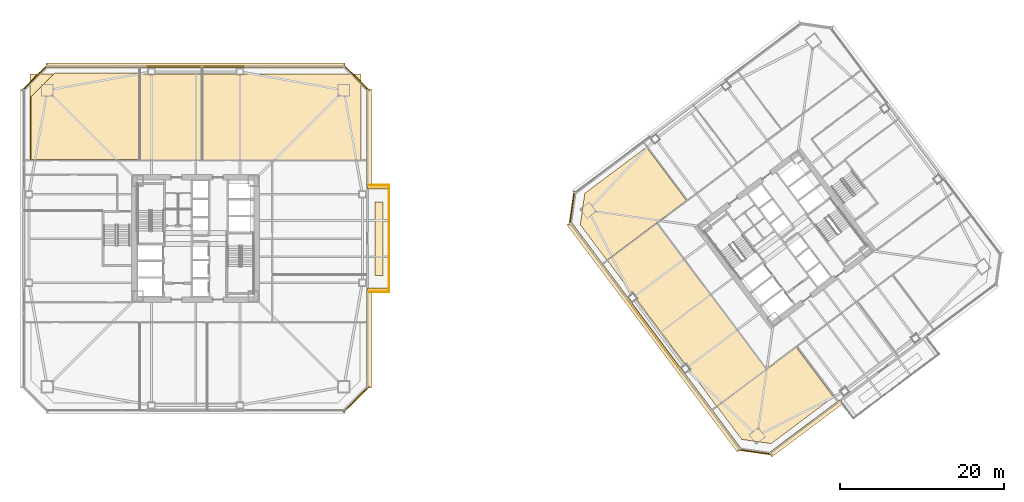
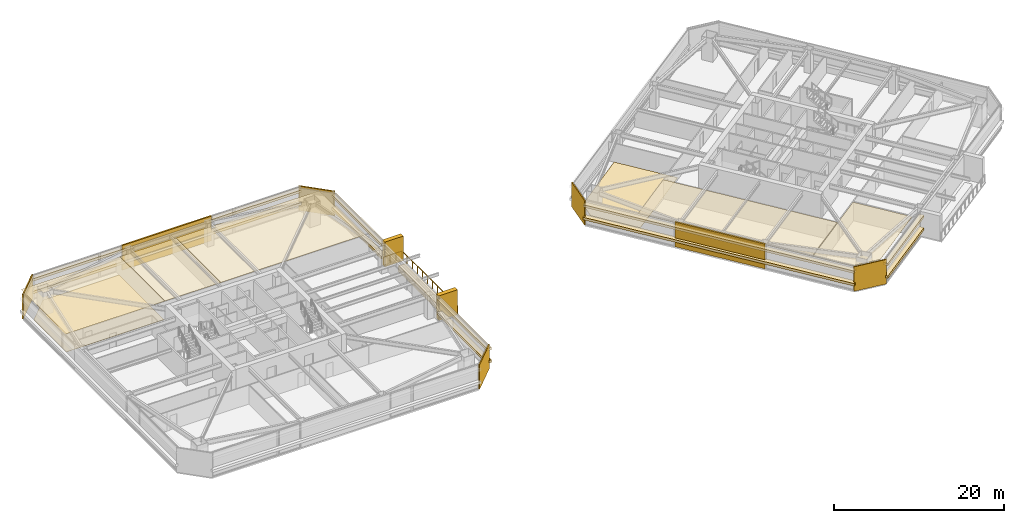
# One storey, part 41 of 44: 27 coverings, 3 railings.
"""IFC4 building model written with IfcOpenShell, lengths in metres."""

from ifc_helpers import new_model, si_unit, direction, frame, origin, origin_2d, place, context, subcontext, project, spatial, polyline, rectangle, outline, extrude, material, layer, layer_set, type_object, element, save


model = new_model("IFC4")

# Units and contexts
model_context = context("Model", 3, precision=1e-05, world=origin(), true_north=direction((0.0, 1.0)))
body_context = subcontext(model_context, "Body", "Model", "MODEL_VIEW")
ifc_project = project(units=[si_unit("LENGTHUNIT", "METRE"), si_unit("AREAUNIT", "SQUARE_METRE"), si_unit("VOLUMEUNIT", "CUBIC_METRE"), si_unit("PLANEANGLEUNIT", "RADIAN"), si_unit("MASSUNIT", "GRAM", prefix="KILO")], contexts=[model_context])

# Site, building, storey
site_placement = place(None, origin())
site = spatial("IfcSite", under=ifc_project, at=site_placement, CompositionType="ELEMENT")
building_placement = place(site_placement, origin())
building = spatial("IfcBuilding", under=site, at=building_placement, Name="Tashvorn Skyway Center", CompositionType="ELEMENT")
storey_placement = place(building_placement, frame((0.0, 0.0, 102.699951171875)))
storey = spatial("IfcBuildingStorey", under=building, at=storey_placement, Name="L27", CompositionType="ELEMENT", Elevation=102.699951171875)

# Coverings
ifc_material_1 = material(Name="Precast concrete C40/50", Category="concrete")
ifc_layer_1 = layer(ifc_material_1, 0.199951171875)
ifc_layer_set_1 = layer_set([ifc_layer_1], Name="Precast concrete C40/50")
covering_type_1 = type_object("IfcCoveringType", Name="COV-BRACE-CLAD", PredefinedType="CLADDING", material=ifc_layer_set_1)
covering_1_placement = place(storey_placement, frame((42.0, 52.97998046875, 0.0), z_axis=(0.0, 0.0, 1.0), x_axis=(1.0, 0.0, 0.0)))
element("IfcCovering", 1, at=covering_1_placement, inside=storey, type_object=covering_type_1, Name="Tower 1 L27 North Unitised Curtain Wall Mega-Brace Cladding Band 1", PredefinedType="CLADDING", context=body_context, shape_type="SweptSolid", body=[
    extrude(rectangle(XDim=12.1201171875, YDim=0.199951171875, at=origin_2d()), origin(), (0.0, 0.0, 1.0), 3.550048828125),
])
covering_2_placement = place(storey_placement, frame((98.095947265625, 20.072021484375, 0.0), z_axis=(0.0, 0.0, 1.0), x_axis=(-0.600000004945, 0.799999996291, 0.0)))
element("IfcCovering", 2, at=covering_2_placement, inside=storey, type_object=covering_type_1, Name="Tower 2 L27 West Unitised Curtain Wall Mega-Brace Cladding Band 1", PredefinedType="CLADDING", context=body_context, shape_type="SweptSolid", body=[
    extrude(rectangle(XDim=11.52001953125, YDim=0.199951171875, at=origin_2d()), origin(), (0.0, 0.0, 1.0), 3.550048828125),
])
ifc_material_2 = material(Name="Mineral-fibre acoustic ceiling tile on suspended grid")
ifc_layer_2 = layer(ifc_material_2, 0.02001953125)
ifc_layer_set_2 = layer_set([ifc_layer_2], Name="Mineral-fibre acoustic ceiling tile on suspended grid")
covering_type_2 = type_object("IfcCoveringType", Name="COV-CEIL-20", PredefinedType="CEILING", material=ifc_layer_set_2)
covering_3_placement = place(storey_placement, frame((0.0, 0.0, 2.68310546875)))
element("IfcCovering", 3, at=covering_3_placement, inside=storey, type_object=covering_type_2, Name="Tower 1 L27 Gallery Showroom Acoustic Ceiling", PredefinedType="CEILING", context=body_context, shape_type="SweptSolid", body=[
    extrude(outline(polyline([(21.800048828125, 41.570068359375), (35.199951171875, 41.570068359375), (35.199951171875, 52.10009765625), (21.800048828125, 52.10009765625), (21.800048828125, 41.570068359375)])), origin(), (0.0, 0.0, 1.0), 0.02001953125),
])
covering_4_placement = place(storey_placement, frame((0.0, 0.0, 2.68310546875)))
element("IfcCovering", 4, at=covering_4_placement, inside=storey, type_object=covering_type_2, Name="Tower 1 L27 Gallery Showroom Acoustic Ceiling", PredefinedType="CEILING", context=body_context, shape_type="SweptSolid", body=[
    extrude(outline(polyline([(35.199951171875, 41.570068359375), (42.800048828125, 41.570068359375), (42.800048828125, 52.10009765625), (35.199951171875, 52.10009765625), (35.199951171875, 41.570068359375)])), origin(), (0.0, 0.0, 1.0), 0.02001953125),
])
covering_5_placement = place(storey_placement, frame((0.0, 0.0, 2.68310546875)))
element("IfcCovering", 5, at=covering_5_placement, inside=storey, type_object=covering_type_2, Name="Tower 1 L27 Corporate Office Acoustic Ceiling", PredefinedType="CEILING", context=body_context, shape_type="SweptSolid", body=[
    extrude(outline(polyline([(42.800048828125, 41.570068359375), (62.199951171875, 41.570068359375), (62.199951171875, 52.10009765625), (42.800048828125, 52.10009765625), (42.800048828125, 41.570068359375)])), origin(), (0.0, 0.0, 1.0), 0.02001953125),
])
covering_6_placement = place(storey_placement, frame((0.0, 0.0, 2.68310546875)))
element("IfcCovering", 6, at=covering_6_placement, inside=storey, type_object=covering_type_2, Name="Tower 2 L27 Gallery Showroom Acoustic Ceiling", PredefinedType="CEILING", context=body_context, shape_type="SweptSolid", body=[
    extrude(outline(polyline([(105.662109375, 11.48388671875), (115.31005859375, 18.719970703125), (119.85205078125, 12.6640625), (112.251953125, 6.964111328125), (108.66796875, 7.47607421875), (105.662109375, 11.48388671875)])), origin(), (0.0, 0.0, 1.0), 0.02001953125),
])
covering_7_placement = place(storey_placement, frame((0.0, 0.0, 2.68310546875)))
element("IfcCovering", 7, at=covering_7_placement, inside=storey, type_object=covering_type_2, Name="Tower 2 L27 Collaborative Studio Acoustic Ceiling", PredefinedType="CEILING", context=body_context, shape_type="SweptSolid", body=[
    extrude(outline(polyline([(105.6220703125, 11.50390625), (111.677978515625, 16.0458984375), (98.31591796875, 33.862060546875), (92.260009765625, 29.320068359375), (105.6220703125, 11.50390625)])), origin(), (0.0, 0.0, 1.0), 0.02001953125),
])
ifc_material_3 = material(Name="Polished Mojave desert-aggregate terrazzo and cover plate")
ifc_layer_3 = layer(ifc_material_3, 0.0400390625)
ifc_layer_set_3 = layer_set([ifc_layer_3], Name="Polished Mojave desert-aggregate terrazzo and cover plate")
covering_type_3 = type_object("IfcCoveringType", Name="COV-FLR-40", PredefinedType="FLOORING", material=ifc_layer_set_3)
covering_8_placement = place(storey_placement, origin())
element("IfcCovering", 8, at=covering_8_placement, inside=storey, type_object=covering_type_3, Name="Tower 1 L27 Gallery Showroom Finish Flooring", PredefinedType="FLOORING", context=body_context, shape_type="SweptSolid", body=[
    extrude(outline(polyline([(35.1201171875, 41.64990234375), (21.8798828125, 41.64990234375), (21.8798828125, 49.280029296875), (24.800048828125, 52.199951171875), (35.1201171875, 52.199951171875), (35.1201171875, 41.64990234375)])), origin(), (0.0, 0.0, 1.0), 0.0400390625),
])
covering_9_placement = place(storey_placement, origin())
element("IfcCovering", 9, at=covering_9_placement, inside=storey, type_object=covering_type_3, Name="Tower 2 L27 Gallery Showroom Finish Flooring", PredefinedType="FLOORING", context=body_context, shape_type="SweptSolid", body=[
    extrude(outline(polyline([(101.907958984375, 36.656005859375), (92.196044921875, 29.3720703125), (88.9560546875, 33.69189453125), (89.5, 37.5), (97.035888671875, 43.152099609375), (101.907958984375, 36.656005859375)])), origin(), (0.0, 0.0, 1.0), 0.0400390625),
])
ifc_material_4 = material(Name="Perforated ceramic-coated bronze aluminium solar screen", Category="aluminium")
ifc_layer_4 = layer(ifc_material_4, 0.85009765625)
ifc_layer_set_4 = layer_set([ifc_layer_4], Name="Perforated ceramic-coated bronze aluminium solar screen")
covering_type_4 = type_object("IfcCoveringType", Name="COV-SOLAR-BAND", PredefinedType="CLADDING", material=ifc_layer_set_4)
for number, where, z_axis, x_axis, name in (
    (10, (42.0, 53.1201171875, 0.919921875), (0.0, 0.0, 1.0), (1.0, 0.0, 0.0), "L27 Perforated Ceramic-Metal Solar Screen Louvre Band North 1"),
    (11, (42.0, 53.1201171875, 2.72021484375), (0.0, 0.0, 1.0), (1.0, 0.0, 0.0), "L27 Perforated Ceramic-Metal Solar Screen Louvre Band North 2"),
):
    element("IfcCovering", number, at=place(storey_placement, frame(where, z_axis=z_axis, x_axis=x_axis)), inside=storey, type_object=covering_type_4, Name=name, PredefinedType="CLADDING", context=body_context, shape_type="SweptSolid", body=[
        extrude(rectangle(XDim=36.47998046875, YDim=0.639892578125, at=origin_2d()), origin(), (0.0, 0.0, 1.0), 0.360107421875),
    ])
for number, where, z_axis, x_axis, name in (
    (12, (63.1201171875, 44.389892578125, 0.919921875), (0.0, 0.0, 1.0), (0.0, -1.0, 0.0), "L27 Perforated Ceramic-Metal Solar Screen Louvre Band East 1"),
    (13, (63.1201171875, 44.389892578125, 2.72021484375), (0.0, 0.0, 1.0), (0.0, -1.0, 0.0), "L27 Perforated Ceramic-Metal Solar Screen Louvre Band East 2"),
    (14, (63.1201171875, 19.610107421875, 0.919921875), (0.0, 0.0, 1.0), (0.0, -1.0, 0.0), "L27 Perforated Ceramic-Metal Solar Screen Louvre Band East 1"),
    (15, (63.1201171875, 19.610107421875, 2.72021484375), (0.0, 0.0, 1.0), (0.0, -1.0, 0.0), "L27 Perforated Ceramic-Metal Solar Screen Louvre Band East 2"),
):
    element("IfcCovering", number, at=place(storey_placement, frame(where, z_axis=z_axis, x_axis=x_axis)), inside=storey, type_object=covering_type_4, Name=name, PredefinedType="CLADDING", context=body_context, shape_type="SweptSolid", body=[
        extrude(rectangle(XDim=11.699951171875, YDim=0.639892578125, at=origin_2d()), origin(), (0.0, 0.0, 1.0), 0.360107421875),
    ])
for number, where, z_axis, x_axis, name in (
    (16, (116.4599609375, 8.820068359375, 0.919921875), (0.0, 0.0, 1.0), (-0.799999996291, -0.600000004945, 0.0), "L27 Perforated Ceramic-Metal Solar Screen Louvre Band South 1"),
    (17, (116.4599609375, 8.820068359375, 2.72021484375), (0.0, 0.0, 1.0), (-0.799999996291, -0.600000004945, 0.0), "L27 Perforated Ceramic-Metal Solar Screen Louvre Band South 2"),
):
    element("IfcCovering", number, at=place(storey_placement, frame(where, z_axis=z_axis, x_axis=x_axis)), inside=storey, type_object=covering_type_4, Name=name, PredefinedType="CLADDING", context=body_context, shape_type="SweptSolid", body=[
        extrude(rectangle(XDim=10.800048828125, YDim=0.639892578125, at=origin_2d()), origin(), (0.0, 0.0, 1.0), 0.360107421875),
    ])
for number, where, z_axis, x_axis, name in (
    (18, (97.98388671875, 19.988037109375, 0.919921875), (0.0, 0.0, 1.0), (-0.600000004945, 0.799999996291, 0.0), "L27 Perforated Ceramic-Metal Solar Screen Louvre Band West 1"),
    (19, (97.98388671875, 19.988037109375, 2.72021484375), (0.0, 0.0, 1.0), (-0.600000004945, 0.799999996291, 0.0), "L27 Perforated Ceramic-Metal Solar Screen Louvre Band West 2"),
):
    element("IfcCovering", number, at=place(storey_placement, frame(where, z_axis=z_axis, x_axis=x_axis)), inside=storey, type_object=covering_type_4, Name=name, PredefinedType="CLADDING", context=body_context, shape_type="SweptSolid", body=[
        extrude(rectangle(XDim=34.679931640625, YDim=0.639892578125, at=origin_2d()), origin(), (0.0, 0.0, 1.0), 0.360107421875),
    ])
ifc_layer_5 = layer(ifc_material_1, 0.35009765625)
ifc_layer_set_5 = layer_set([ifc_layer_5], Name="Precast concrete C40/50")
covering_type_5 = type_object("IfcCoveringType", Name="COV-STONE-TRIM", PredefinedType="CLADDING", material=ifc_layer_set_5)
for number, where, z_axis, x_axis, name in (
    (20, (64.25, 38.35009765625, 0.0), (0.0, 0.0, 1.0), (0.0, -1.0, 0.0), "Tower 1 L27 Sky Garden Loggia Pier L"),
    (21, (64.25, 25.64990234375, 0.0), (0.0, 0.0, 1.0), (0.0, -1.0, 0.0), "Tower 1 L27 Sky Garden Loggia Pier R"),
):
    element("IfcCovering", number, at=place(storey_placement, frame(where, z_axis=z_axis, x_axis=x_axis)), inside=storey, type_object=covering_type_5, Name=name, PredefinedType="CLADDING", context=body_context, shape_type="SweptSolid", body=[
        extrude(rectangle(XDim=0.580078125, YDim=2.5, at=origin_2d()), origin(), (0.0, 0.0, 1.0), 3.550048828125),
    ])
covering_10_placement = place(storey_placement, frame((64.39990234375, 32.0, 0.0), z_axis=(0.0, 0.0, 1.0), x_axis=(0.0, -1.0, 0.0)))
element("IfcCovering", 22, at=covering_10_placement, inside=storey, type_object=covering_type_5, Name="Tower 1 L27 Sky Garden Stone Planter Bed", PredefinedType="CLADDING", context=body_context, shape_type="SweptSolid", body=[
    extrude(rectangle(XDim=8.97607421875, YDim=0.949951171875, at=origin_2d()), origin(), (0.0, 0.0, 1.0), 0.800048828125),
])
for number, where, z_axis, x_axis, name in (
    (23, (22.3798828125, 51.6201171875, 0.02001953125), (0.0, 0.0, 1.0), (-0.707106781187, -0.707106781187, 0.0), "Tower 1 L27 NW Mojave Limestone Corner Quoin"),
    (24, (61.6201171875, 51.6201171875, 0.02001953125), (0.0, 0.0, 1.0), (0.707106781187, -0.707106781187, 0.0), "Tower 1 L27 NE Mojave Limestone Corner Quoin"),
    (25, (61.6201171875, 12.3798828125, 0.02001953125), (0.0, 0.0, 1.0), (0.707106781187, 0.707106781187, 0.0), "Tower 1 L27 SE Mojave Limestone Corner Quoin"),
):
    element("IfcCovering", number, at=place(storey_placement, frame(where, z_axis=z_axis, x_axis=x_axis)), inside=storey, type_object=covering_type_5, Name=name, PredefinedType="CLADDING", context=body_context, shape_type="SweptSolid", body=[
        extrude(rectangle(XDim=4.402587890625, YDim=0.139892578125, at=origin_2d()), origin(), (0.0, 0.0, 1.0), 3.510009765625),
    ])
for number, where, z_axis, x_axis, name in (
    (26, (110.27587890625, 5.931884765625, 0.02001953125), (0.0, 0.0, 1.0), (-0.989949494535, 0.141421350118, 0.0), "Tower 2 L27 SW Mojave Limestone Corner Quoin"),
    (27, (87.931884765625, 35.72412109375, 0.02001953125), (0.0, 0.0, 1.0), (-0.141421350118, -0.989949494535, 0.0), "Tower 2 L27 NW Mojave Limestone Corner Quoin"),
):
    element("IfcCovering", number, at=place(storey_placement, frame(where, z_axis=z_axis, x_axis=x_axis)), inside=storey, type_object=covering_type_5, Name=name, PredefinedType="CLADDING", context=body_context, shape_type="SweptSolid", body=[
        extrude(rectangle(XDim=4.119873046875, YDim=0.139892578125, at=origin_2d()), origin(), (0.0, 0.0, 1.0), 3.510009765625),
    ])

# Railings
ifc_material_5 = material(Name="Galvanized steel S355", Category="steel")
railing_type = type_object("IfcRailingType", Name="RAIL-GUARD-1120", PredefinedType="GUARDRAIL", material=ifc_material_5)
railing_1_placement = place(storey_placement, frame((63.10009765625, 25.47998046875, 0.0)))
element("IfcRailing", 28, at=railing_1_placement, inside=storey, type_object=railing_type, Name="L27 Tower 1 Terrace Guardrail 01", PredefinedType="GUARDRAIL", context=body_context, shape_type="SweptSolid", body=[
    extrude(rectangle(XDim=0.048095703125, YDim=0.048095703125, at=origin_2d()), frame((0.0, 0.0, 1.09619140625), z_axis=(1.0, 0.0, 0.0), x_axis=(0.0, 1.0, 0.0)), (0.0, 0.0, 1.0), 2.52001953125),
    extrude(rectangle(XDim=0.0419921875, YDim=0.0419921875, at=origin_2d()), origin(), (0.0, 0.0, 1.0), 1.072021484375),
    extrude(rectangle(XDim=0.0419921875, YDim=0.0419921875, at=origin_2d()), frame((0.840087890625, 0.0, 0.0)), (0.0, 0.0, 1.0), 1.072021484375),
    extrude(rectangle(XDim=0.0419921875, YDim=0.0419921875, at=origin_2d()), frame((1.679931640625, 0.0, 0.0)), (0.0, 0.0, 1.0), 1.072021484375),
    extrude(rectangle(XDim=0.0419921875, YDim=0.0419921875, at=origin_2d()), frame((2.52001953125, 0.0, 0.0)), (0.0, 0.0, 1.0), 1.072021484375),
])
railing_2_placement = place(storey_placement, frame((65.6201171875, 25.47998046875, 0.0)))
element("IfcRailing", 29, at=railing_2_placement, inside=storey, type_object=railing_type, Name="L27 Tower 1 Terrace Guardrail 02", PredefinedType="GUARDRAIL", context=body_context, shape_type="SweptSolid", body=[
    extrude(rectangle(XDim=0.048095703125, YDim=0.048095703125, at=origin_2d()), frame((0.0, 0.0, 1.09619140625), z_axis=(0.0, 1.0, 0.0), x_axis=(-1.0, 0.0, 0.0)), (0.0, 0.0, 1.0), 13.0400390625),
    extrude(rectangle(XDim=0.0419921875, YDim=0.0419921875, at=origin_2d()), origin(), (0.0, 0.0, 1.0), 1.072021484375),
    extrude(rectangle(XDim=0.0419921875, YDim=0.0419921875, at=origin_2d()), frame((0.0, 1.185546875, 0.0)), (0.0, 0.0, 1.0), 1.072021484375),
    extrude(rectangle(XDim=0.0419921875, YDim=0.0419921875, at=origin_2d()), frame((0.0, 2.370849609375, 0.0)), (0.0, 0.0, 1.0), 1.072021484375),
    extrude(rectangle(XDim=0.0419921875, YDim=0.0419921875, at=origin_2d()), frame((0.0, 3.556396484375, 0.0)), (0.0, 0.0, 1.0), 1.072021484375),
    extrude(rectangle(XDim=0.0419921875, YDim=0.0419921875, at=origin_2d()), frame((0.0, 4.741943359375, 0.0)), (0.0, 0.0, 1.0), 1.072021484375),
    extrude(rectangle(XDim=0.0419921875, YDim=0.0419921875, at=origin_2d()), frame((0.0, 5.92724609375, 0.0)), (0.0, 0.0, 1.0), 1.072021484375),
    extrude(rectangle(XDim=0.0419921875, YDim=0.0419921875, at=origin_2d()), frame((0.0, 7.11279296875, 0.0)), (0.0, 0.0, 1.0), 1.072021484375),
    extrude(rectangle(XDim=0.0419921875, YDim=0.0419921875, at=origin_2d()), frame((0.0, 8.298095703125, 0.0)), (0.0, 0.0, 1.0), 1.072021484375),
    extrude(rectangle(XDim=0.0419921875, YDim=0.0419921875, at=origin_2d()), frame((0.0, 9.483642578125, 0.0)), (0.0, 0.0, 1.0), 1.072021484375),
    extrude(rectangle(XDim=0.0419921875, YDim=0.0419921875, at=origin_2d()), frame((0.0, 10.669189453125, 0.0)), (0.0, 0.0, 1.0), 1.072021484375),
    extrude(rectangle(XDim=0.0419921875, YDim=0.0419921875, at=origin_2d()), frame((0.0, 11.8544921875, 0.0)), (0.0, 0.0, 1.0), 1.072021484375),
    extrude(rectangle(XDim=0.0419921875, YDim=0.0419921875, at=origin_2d()), frame((0.0, 13.0400390625, 0.0)), (0.0, 0.0, 1.0), 1.072021484375),
])
railing_3_placement = place(storey_placement, frame((65.6201171875, 38.52001953125, 0.0)))
element("IfcRailing", 30, at=railing_3_placement, inside=storey, type_object=railing_type, Name="L27 Tower 1 Terrace Guardrail 03", PredefinedType="GUARDRAIL", context=body_context, shape_type="SweptSolid", body=[
    extrude(rectangle(XDim=0.048095703125, YDim=0.048095703125, at=origin_2d()), frame((0.0, 0.0, 1.09619140625), z_axis=(-1.0, 0.0, 0.0), x_axis=(0.0, -1.0, 0.0)), (0.0, 0.0, 1.0), 2.52001953125),
    extrude(rectangle(XDim=0.0419921875, YDim=0.0419921875, at=origin_2d()), origin(), (0.0, 0.0, 1.0), 1.072021484375),
    extrude(rectangle(XDim=0.0419921875, YDim=0.0419921875, at=origin_2d()), frame((-0.840087890625, 0.0, 0.0)), (0.0, 0.0, 1.0), 1.072021484375),
    extrude(rectangle(XDim=0.0419921875, YDim=0.0419921875, at=origin_2d()), frame((-1.679931640625, 0.0, 0.0)), (0.0, 0.0, 1.0), 1.072021484375),
    extrude(rectangle(XDim=0.0419921875, YDim=0.0419921875, at=origin_2d()), frame((-2.52001953125, 0.0, 0.0)), (0.0, 0.0, 1.0), 1.072021484375),
])

save(model, "model.ifc")
